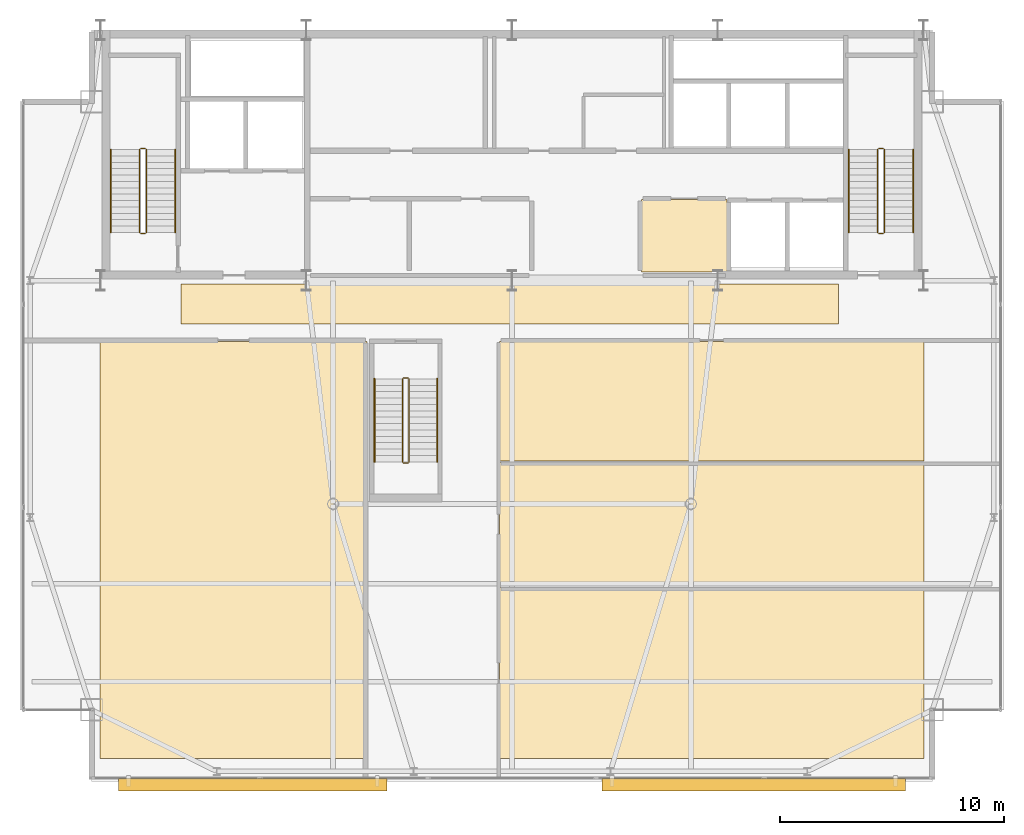
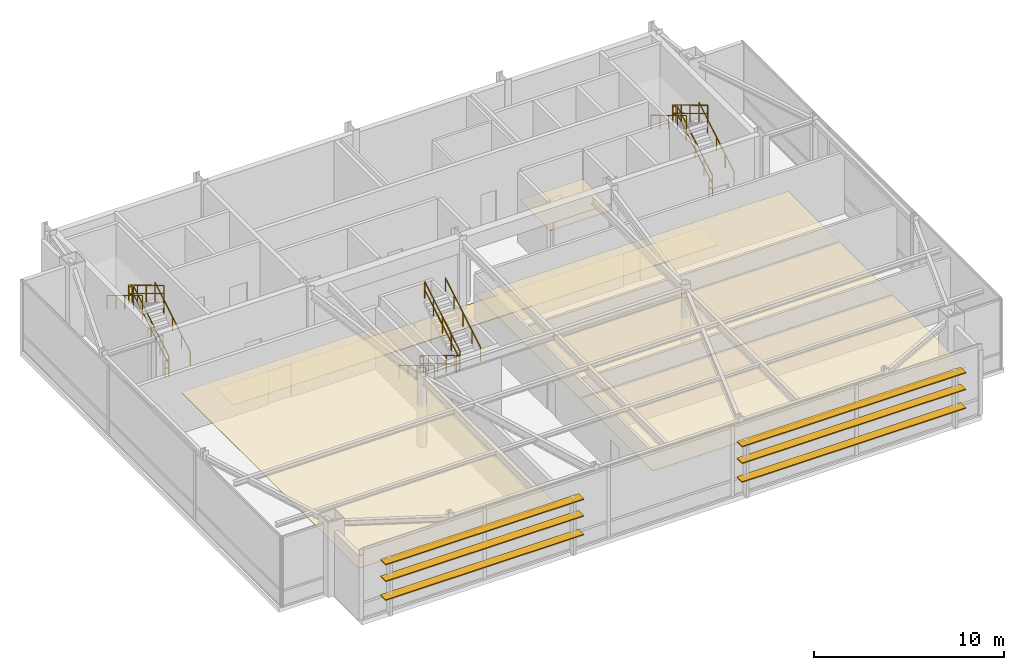
# One storey, part 21 of 21: 18 railings, 6 coverings, 6 shading devices.
"""IFC4 building model written with IfcOpenShell, lengths in metres."""

from ifc_helpers import new_model, si_unit, direction, frame, origin, origin_2d, place, context, subcontext, project, spatial, polyline, rectangle, outline, extrude, source, transform, mapped, material, layer, layer_set, type_object, type_shapes, element, save


model = new_model("IFC4")

# Units and contexts
model_context = context("Model", 3, precision=1e-05, world=origin(), true_north=direction((0.0, 1.0)))
body_context = subcontext(model_context, "Body", "Model", "MODEL_VIEW")
ifc_project = project(units=[si_unit("LENGTHUNIT", "METRE"), si_unit("AREAUNIT", "SQUARE_METRE"), si_unit("VOLUMEUNIT", "CUBIC_METRE"), si_unit("PLANEANGLEUNIT", "RADIAN"), si_unit("MASSUNIT", "GRAM", prefix="KILO")], contexts=[model_context])

# Site, building, storey
site_placement = place(None, origin())
site = spatial("IfcSite", under=ifc_project, at=site_placement, CompositionType="ELEMENT")
building_placement = place(site_placement, origin())
building = spatial("IfcBuilding", under=site, at=building_placement, Name="Varnel Quay Broadcast Tower", CompositionType="ELEMENT")
storey_placement = place(building_placement, frame((0.0, 0.0, 300.199951171875)))
storey = spatial("IfcBuildingStorey", under=building, at=storey_placement, Name="L75", CompositionType="ELEMENT", Elevation=300.199951171875)

# Coverings
ifc_material_1 = material(Name="Micro-Perforated Acoustic Ceiling Tile")
ifc_layer_1 = layer(ifc_material_1, 0.0400390625, Name="Micro-Perforated Acoustic Ceiling Tile")
ifc_layer_set_1 = layer_set([ifc_layer_1], Name="Micro-Perforated Acoustic Ceiling Tile")
covering_type_1 = type_object("IfcCoveringType", Name="Cov_AcousticCeiling", PredefinedType="CEILING", material=ifc_layer_set_1)
covering_1_placement = place(storey_placement, frame((0.0, 0.0, 2.580078125)))
element("IfcCovering", 1, at=covering_1_placement, inside=storey, type_object=covering_type_1, Name="L75 Electrical Sub-Distribution Closet Acoustic Ceiling", PredefinedType="CEILING", context=body_context, shape_type="SweptSolid", body=[
    extrude(outline(polyline([(39.784912109375, 35.985107421875), (43.614990234375, 35.985107421875), (43.614990234375, 39.215087890625), (39.784912109375, 39.215087890625), (39.784912109375, 35.985107421875)])), origin(), (0.0, 0.0, 1.0), 0.0400390625),
])
covering_2_placement = place(storey_placement, frame((0.0, 0.0, 2.580078125)))
element("IfcCovering", 2, at=covering_2_placement, inside=storey, type_object=covering_type_1, Name="L75 South Harbour Observation Gallery Acoustic Ceiling", PredefinedType="CEILING", context=body_context, shape_type="SweptSolid", body=[
    extrude(outline(polyline([(15.5849609375, 14.22509765625), (27.514892578125, 14.22509765625), (27.514892578125, 32.864990234375), (15.5849609375, 32.864990234375), (15.5849609375, 14.22509765625)])), origin(), (0.0, 0.0, 1.0), 0.0400390625),
])
covering_3_placement = place(storey_placement, frame((0.0, 0.0, 2.580078125)))
element("IfcCovering", 3, at=covering_3_placement, inside=storey, type_object=covering_type_1, Name="L75 Broadcast History Exhibition Hall Acoustic Ceiling", PredefinedType="CEILING", context=body_context, shape_type="SweptSolid", body=[
    extrude(outline(polyline([(33.43505859375, 14.22509765625), (52.4150390625, 14.22509765625), (52.4150390625, 21.864990234375), (33.43505859375, 21.864990234375), (33.43505859375, 14.22509765625)])), origin(), (0.0, 0.0, 1.0), 0.0400390625),
])
covering_4_placement = place(storey_placement, frame((0.0, 0.0, 2.580078125)))
element("IfcCovering", 4, at=covering_4_placement, inside=storey, type_object=covering_type_1, Name="L75 Sky Viewing Cafe & Servery Acoustic Ceiling", PredefinedType="CEILING", context=body_context, shape_type="SweptSolid", body=[
    extrude(outline(polyline([(33.43505859375, 21.93505859375), (52.4150390625, 21.93505859375), (52.4150390625, 27.465087890625), (33.43505859375, 27.465087890625), (33.43505859375, 21.93505859375)])), origin(), (0.0, 0.0, 1.0), 0.0400390625),
])
covering_5_placement = place(storey_placement, frame((0.0, 0.0, 2.580078125)))
element("IfcCovering", 5, at=covering_5_placement, inside=storey, type_object=covering_type_1, Name="L75 Visitor Orientation Theatre Acoustic Ceiling", PredefinedType="CEILING", context=body_context, shape_type="SweptSolid", body=[
    extrude(outline(polyline([(33.43505859375, 27.534912109375), (52.4150390625, 27.534912109375), (52.4150390625, 32.864990234375), (33.43505859375, 32.864990234375), (33.43505859375, 27.534912109375)])), origin(), (0.0, 0.0, 1.0), 0.0400390625),
])
ifc_material_2 = material(Name="Polished Terrazzo & Broadcast Raised Flooring")
ifc_layer_2 = layer(ifc_material_2, 0.0400390625, Name="Polished Terrazzo & Broadcast Raised Flooring")
ifc_layer_set_2 = layer_set([ifc_layer_2], Name="Polished Terrazzo & Broadcast Raised Flooring")
covering_type_2 = type_object("IfcCoveringType", Name="Cov_TerrazzoFloor", PredefinedType="FLOORING", material=ifc_layer_set_2)
covering_6_placement = place(storey_placement, origin())
element("IfcCovering", 6, at=covering_6_placement, inside=storey, type_object=covering_type_2, Name="L75 Corridor Terrazzo Flooring", PredefinedType="FLOORING", context=body_context, shape_type="SweptSolid", body=[
    extrude(outline(polyline([(19.199951171875, 33.64990234375), (48.60009765625, 33.64990234375), (48.60009765625, 35.449951171875), (19.199951171875, 35.449951171875), (19.199951171875, 33.64990234375)])), origin(), (0.0, 0.0, 1.0), 0.0400390625),
])

# Railings
ifc_material_3 = material(Name="Painted Steel Guard and Handrail CSA G40.21 350W", Category="steel")
railing_type_1 = type_object("IfcRailingType", Name="Rail_StairGuard1100", PredefinedType="GUARDRAIL", material=ifc_material_3)
railing_1_placement = place(storey_placement, frame((17.64990234375, 37.75, 0.17138671875)))
element("IfcRailing", 7, at=railing_1_placement, inside=storey, type_object=railing_type_1, Name="L75 ST-01 stair guard 1", PredefinedType="GUARDRAIL", context=body_context, shape_type="SweptSolid", body=[
    extrude(rectangle(XDim=0.048095703125, YDim=0.048095703125, at=origin_2d()), frame((0.0, 0.0, 1.076171875), z_axis=(0.0, 0.856909459561, 0.515466951525), x_axis=(-1.0, 0.0, 0.0)), (0.0, 0.0, 1.0), 4.32373046875),
    extrude(rectangle(XDim=0.048095703125, YDim=0.048095703125, at=origin_2d()), frame((0.0, 0.0, 0.550048828125), z_axis=(0.0, 0.856909459561, 0.515466951525), x_axis=(-1.0, 0.0, 0.0)), (0.0, 0.0, 1.0), 4.32373046875),
    extrude(rectangle(XDim=0.0419921875, YDim=0.0419921875, at=origin_2d()), origin(), (0.0, 0.0, 1.0), 1.052001953125),
    extrude(rectangle(XDim=0.0419921875, YDim=0.0419921875, at=origin_2d()), frame((0.0, 0.92626953125, 0.55712890625)), (0.0, 0.0, 1.0), 1.052001953125),
    extrude(rectangle(XDim=0.0419921875, YDim=0.0419921875, at=origin_2d()), frame((0.0, 1.8525390625, 1.1142578125)), (0.0, 0.0, 1.0), 1.052001953125),
    extrude(rectangle(XDim=0.0419921875, YDim=0.0419921875, at=origin_2d()), frame((0.0, 2.77880859375, 1.671630859375)), (0.0, 0.0, 1.0), 1.052001953125),
    extrude(rectangle(XDim=0.0419921875, YDim=0.0419921875, at=origin_2d()), frame((0.0, 3.705078125, 2.228759765625)), (0.0, 0.0, 1.0), 1.052001953125),
])
railing_2_placement = place(storey_placement, frame((17.60009765625, 41.5048828125, 2.400146484375)))
element("IfcRailing", 8, at=railing_2_placement, inside=storey, type_object=railing_type_1, Name="L75 ST-01 stair guard 2", PredefinedType="GUARDRAIL", context=body_context, shape_type="SweptSolid", body=[
    extrude(rectangle(XDim=0.048095703125, YDim=0.048095703125, at=origin_2d()), frame((0.0, 0.0, 1.076171875), z_axis=(-1.0, 0.0, 0.0), x_axis=(0.0, -1.0, 0.0)), (0.0, 0.0, 1.0), 0.2001953125),
    extrude(rectangle(XDim=0.048095703125, YDim=0.048095703125, at=origin_2d()), frame((0.0, 0.0, 0.550048828125), z_axis=(-1.0, 0.0, 0.0), x_axis=(0.0, -1.0, 0.0)), (0.0, 0.0, 1.0), 0.2001953125),
    extrude(rectangle(XDim=0.0419921875, YDim=0.0419921875, at=origin_2d()), origin(), (0.0, 0.0, 1.0), 1.052001953125),
    extrude(rectangle(XDim=0.0419921875, YDim=0.0419921875, at=origin_2d()), frame((-0.2001953125, 0.0, 0.0)), (0.0, 0.0, 1.0), 1.052001953125),
])
railing_3_placement = place(storey_placement, frame((17.35009765625, 41.455078125, 2.571533203125)))
element("IfcRailing", 9, at=railing_3_placement, inside=storey, type_object=railing_type_1, Name="L75 ST-01 stair guard 3", PredefinedType="GUARDRAIL", context=body_context, shape_type="SweptSolid", body=[
    extrude(rectangle(XDim=0.048095703125, YDim=0.048095703125, at=origin_2d()), frame((0.0, 0.0, 1.076171875), z_axis=(0.0, -0.856934400257, 0.515425487977), x_axis=(1.0, 0.0, 0.0)), (0.0, 0.0, 1.0), 4.32373046875),
    extrude(rectangle(XDim=0.048095703125, YDim=0.048095703125, at=origin_2d()), frame((0.0, 0.0, 0.550048828125), z_axis=(0.0, -0.856934400257, 0.515425487977), x_axis=(1.0, 0.0, 0.0)), (0.0, 0.0, 1.0), 4.32373046875),
    extrude(rectangle(XDim=0.0419921875, YDim=0.0419921875, at=origin_2d()), origin(), (0.0, 0.0, 1.0), 1.052001953125),
    extrude(rectangle(XDim=0.0419921875, YDim=0.0419921875, at=origin_2d()), frame((0.0, -0.92626953125, 0.55712890625)), (0.0, 0.0, 1.0), 1.052001953125),
    extrude(rectangle(XDim=0.0419921875, YDim=0.0419921875, at=origin_2d()), frame((0.0, -1.8525390625, 1.1142578125)), (0.0, 0.0, 1.0), 1.052001953125),
    extrude(rectangle(XDim=0.0419921875, YDim=0.0419921875, at=origin_2d()), frame((0.0, -2.77880859375, 1.67138671875)), (0.0, 0.0, 1.0), 1.052001953125),
    extrude(rectangle(XDim=0.0419921875, YDim=0.0419921875, at=origin_2d()), frame((0.0, -3.705078125, 2.228515625)), (0.0, 0.0, 1.0), 1.052001953125),
])
railing_4_placement = place(storey_placement, frame((17.60009765625, 37.699951171875, 0.0)))
element("IfcRailing", 10, at=railing_4_placement, inside=storey, type_object=railing_type_1, Name="L75 ST-01 stair guard 4", PredefinedType="GUARDRAIL", context=body_context, shape_type="SweptSolid", body=[
    extrude(rectangle(XDim=0.048095703125, YDim=0.048095703125, at=origin_2d()), frame((0.0, 0.0, 1.076171875), z_axis=(-1.0, 0.0, 0.0), x_axis=(0.0, -1.0, 0.0)), (0.0, 0.0, 1.0), 0.2001953125),
    extrude(rectangle(XDim=0.048095703125, YDim=0.048095703125, at=origin_2d()), frame((0.0, 0.0, 0.550048828125), z_axis=(-1.0, 0.0, 0.0), x_axis=(0.0, -1.0, 0.0)), (0.0, 0.0, 1.0), 0.2001953125),
    extrude(rectangle(XDim=0.0419921875, YDim=0.0419921875, at=origin_2d()), origin(), (0.0, 0.0, 1.0), 1.052001953125),
    extrude(rectangle(XDim=0.0419921875, YDim=0.0419921875, at=origin_2d()), frame((-0.2001953125, 0.0, 0.0)), (0.0, 0.0, 1.0), 1.052001953125),
])
railing_5_placement = place(storey_placement, frame((50.64990234375, 37.75, 0.17138671875)))
element("IfcRailing", 11, at=railing_5_placement, inside=storey, type_object=railing_type_1, Name="L75 ST-02 stair guard 1", PredefinedType="GUARDRAIL", context=body_context, shape_type="SweptSolid", body=[
    extrude(rectangle(XDim=0.048095703125, YDim=0.048095703125, at=origin_2d()), frame((0.0, 0.0, 1.076171875), z_axis=(0.0, 0.856909459561, 0.515466951525), x_axis=(-1.0, 0.0, 0.0)), (0.0, 0.0, 1.0), 4.32373046875),
    extrude(rectangle(XDim=0.048095703125, YDim=0.048095703125, at=origin_2d()), frame((0.0, 0.0, 0.550048828125), z_axis=(0.0, 0.856909459561, 0.515466951525), x_axis=(-1.0, 0.0, 0.0)), (0.0, 0.0, 1.0), 4.32373046875),
    extrude(rectangle(XDim=0.0419921875, YDim=0.0419921875, at=origin_2d()), origin(), (0.0, 0.0, 1.0), 1.052001953125),
    extrude(rectangle(XDim=0.0419921875, YDim=0.0419921875, at=origin_2d()), frame((0.0, 0.92626953125, 0.55712890625)), (0.0, 0.0, 1.0), 1.052001953125),
    extrude(rectangle(XDim=0.0419921875, YDim=0.0419921875, at=origin_2d()), frame((0.0, 1.8525390625, 1.1142578125)), (0.0, 0.0, 1.0), 1.052001953125),
    extrude(rectangle(XDim=0.0419921875, YDim=0.0419921875, at=origin_2d()), frame((0.0, 2.77880859375, 1.671630859375)), (0.0, 0.0, 1.0), 1.052001953125),
    extrude(rectangle(XDim=0.0419921875, YDim=0.0419921875, at=origin_2d()), frame((0.0, 3.705078125, 2.228759765625)), (0.0, 0.0, 1.0), 1.052001953125),
])
railing_6_placement = place(storey_placement, frame((50.60009765625, 41.5048828125, 2.400146484375)))
element("IfcRailing", 12, at=railing_6_placement, inside=storey, type_object=railing_type_1, Name="L75 ST-02 stair guard 2", PredefinedType="GUARDRAIL", context=body_context, shape_type="SweptSolid", body=[
    extrude(rectangle(XDim=0.048095703125, YDim=0.048095703125, at=origin_2d()), frame((0.0, 0.0, 1.076171875), z_axis=(-1.0, 0.0, 0.0), x_axis=(0.0, -1.0, 0.0)), (0.0, 0.0, 1.0), 0.2001953125),
    extrude(rectangle(XDim=0.048095703125, YDim=0.048095703125, at=origin_2d()), frame((0.0, 0.0, 0.550048828125), z_axis=(-1.0, 0.0, 0.0), x_axis=(0.0, -1.0, 0.0)), (0.0, 0.0, 1.0), 0.2001953125),
    extrude(rectangle(XDim=0.0419921875, YDim=0.0419921875, at=origin_2d()), origin(), (0.0, 0.0, 1.0), 1.052001953125),
    extrude(rectangle(XDim=0.0419921875, YDim=0.0419921875, at=origin_2d()), frame((-0.2001953125, 0.0, 0.0)), (0.0, 0.0, 1.0), 1.052001953125),
])
railing_7_placement = place(storey_placement, frame((50.35009765625, 41.455078125, 2.571533203125)))
element("IfcRailing", 13, at=railing_7_placement, inside=storey, type_object=railing_type_1, Name="L75 ST-02 stair guard 3", PredefinedType="GUARDRAIL", context=body_context, shape_type="SweptSolid", body=[
    extrude(rectangle(XDim=0.048095703125, YDim=0.048095703125, at=origin_2d()), frame((0.0, 0.0, 1.076171875), z_axis=(0.0, -0.856934400257, 0.515425487977), x_axis=(1.0, 0.0, 0.0)), (0.0, 0.0, 1.0), 4.32373046875),
    extrude(rectangle(XDim=0.048095703125, YDim=0.048095703125, at=origin_2d()), frame((0.0, 0.0, 0.550048828125), z_axis=(0.0, -0.856934400257, 0.515425487977), x_axis=(1.0, 0.0, 0.0)), (0.0, 0.0, 1.0), 4.32373046875),
    extrude(rectangle(XDim=0.0419921875, YDim=0.0419921875, at=origin_2d()), origin(), (0.0, 0.0, 1.0), 1.052001953125),
    extrude(rectangle(XDim=0.0419921875, YDim=0.0419921875, at=origin_2d()), frame((0.0, -0.92626953125, 0.55712890625)), (0.0, 0.0, 1.0), 1.052001953125),
    extrude(rectangle(XDim=0.0419921875, YDim=0.0419921875, at=origin_2d()), frame((0.0, -1.8525390625, 1.1142578125)), (0.0, 0.0, 1.0), 1.052001953125),
    extrude(rectangle(XDim=0.0419921875, YDim=0.0419921875, at=origin_2d()), frame((0.0, -2.77880859375, 1.67138671875)), (0.0, 0.0, 1.0), 1.052001953125),
    extrude(rectangle(XDim=0.0419921875, YDim=0.0419921875, at=origin_2d()), frame((0.0, -3.705078125, 2.228515625)), (0.0, 0.0, 1.0), 1.052001953125),
])
railing_8_placement = place(storey_placement, frame((50.60009765625, 37.699951171875, 0.0)))
element("IfcRailing", 14, at=railing_8_placement, inside=storey, type_object=railing_type_1, Name="L75 ST-02 stair guard 4", PredefinedType="GUARDRAIL", context=body_context, shape_type="SweptSolid", body=[
    extrude(rectangle(XDim=0.048095703125, YDim=0.048095703125, at=origin_2d()), frame((0.0, 0.0, 1.076171875), z_axis=(-1.0, 0.0, 0.0), x_axis=(0.0, -1.0, 0.0)), (0.0, 0.0, 1.0), 0.2001953125),
    extrude(rectangle(XDim=0.048095703125, YDim=0.048095703125, at=origin_2d()), frame((0.0, 0.0, 0.550048828125), z_axis=(-1.0, 0.0, 0.0), x_axis=(0.0, -1.0, 0.0)), (0.0, 0.0, 1.0), 0.2001953125),
    extrude(rectangle(XDim=0.0419921875, YDim=0.0419921875, at=origin_2d()), origin(), (0.0, 0.0, 1.0), 1.052001953125),
    extrude(rectangle(XDim=0.0419921875, YDim=0.0419921875, at=origin_2d()), frame((-0.2001953125, 0.0, 0.0)), (0.0, 0.0, 1.0), 1.052001953125),
])
railing_9_placement = place(storey_placement, frame((29.10009765625, 31.199951171875, 0.17138671875)))
element("IfcRailing", 15, at=railing_9_placement, inside=storey, type_object=railing_type_1, Name="L75 ST-04 stair guard 1", PredefinedType="GUARDRAIL", context=body_context, shape_type="SweptSolid", body=[
    extrude(rectangle(XDim=0.048095703125, YDim=0.048095703125, at=origin_2d()), frame((0.0, 0.0, 1.076171875), z_axis=(0.0, -0.856894455432, 0.515491893485), x_axis=(1.0, 0.0, 0.0)), (0.0, 0.0, 1.0), 4.323486328125),
    extrude(rectangle(XDim=0.048095703125, YDim=0.048095703125, at=origin_2d()), frame((0.0, 0.0, 0.550048828125), z_axis=(0.0, -0.856894455432, 0.515491893485), x_axis=(1.0, 0.0, 0.0)), (0.0, 0.0, 1.0), 4.323486328125),
    extrude(rectangle(XDim=0.0419921875, YDim=0.0419921875, at=origin_2d()), origin(), (0.0, 0.0, 1.0), 1.052001953125),
    extrude(rectangle(XDim=0.0419921875, YDim=0.0419921875, at=origin_2d()), frame((0.0, -0.92626953125, 0.55712890625)), (0.0, 0.0, 1.0), 1.052001953125),
    extrude(rectangle(XDim=0.0419921875, YDim=0.0419921875, at=origin_2d()), frame((0.0, -1.8525390625, 1.1142578125)), (0.0, 0.0, 1.0), 1.052001953125),
    extrude(rectangle(XDim=0.0419921875, YDim=0.0419921875, at=origin_2d()), frame((0.0, -2.778564453125, 1.671630859375)), (0.0, 0.0, 1.0), 1.052001953125),
    extrude(rectangle(XDim=0.0419921875, YDim=0.0419921875, at=origin_2d()), frame((0.0, -3.704833984375, 2.228759765625)), (0.0, 0.0, 1.0), 1.052001953125),
])
railing_10_placement = place(storey_placement, frame((29.14990234375, 27.445068359375, 2.400146484375)))
element("IfcRailing", 16, at=railing_10_placement, inside=storey, type_object=railing_type_1, Name="L75 ST-04 stair guard 2", PredefinedType="GUARDRAIL", context=body_context, shape_type="SweptSolid", body=[
    extrude(rectangle(XDim=0.048095703125, YDim=0.048095703125, at=origin_2d()), frame((0.0, 0.0, 1.076171875), z_axis=(1.0, 0.0, 0.0), x_axis=(0.0, 1.0, 0.0)), (0.0, 0.0, 1.0), 0.2001953125),
    extrude(rectangle(XDim=0.048095703125, YDim=0.048095703125, at=origin_2d()), frame((0.0, 0.0, 0.550048828125), z_axis=(1.0, 0.0, 0.0), x_axis=(0.0, 1.0, 0.0)), (0.0, 0.0, 1.0), 0.2001953125),
    extrude(rectangle(XDim=0.0419921875, YDim=0.0419921875, at=origin_2d()), origin(), (0.0, 0.0, 1.0), 1.052001953125),
    extrude(rectangle(XDim=0.0419921875, YDim=0.0419921875, at=origin_2d()), frame((0.2001953125, 0.0, 0.0)), (0.0, 0.0, 1.0), 1.052001953125),
])
railing_11_placement = place(storey_placement, frame((29.39990234375, 27.4951171875, 2.571533203125)))
element("IfcRailing", 17, at=railing_11_placement, inside=storey, type_object=railing_type_1, Name="L75 ST-04 stair guard 3", PredefinedType="GUARDRAIL", context=body_context, shape_type="SweptSolid", body=[
    extrude(rectangle(XDim=0.048095703125, YDim=0.048095703125, at=origin_2d()), frame((0.0, 0.0, 1.076171875), z_axis=(0.0, 0.856919398105, 0.515450429384), x_axis=(-1.0, 0.0, 0.0)), (0.0, 0.0, 1.0), 4.323486328125),
    extrude(rectangle(XDim=0.048095703125, YDim=0.048095703125, at=origin_2d()), frame((0.0, 0.0, 0.550048828125), z_axis=(0.0, 0.856919398105, 0.515450429384), x_axis=(-1.0, 0.0, 0.0)), (0.0, 0.0, 1.0), 4.323486328125),
    extrude(rectangle(XDim=0.0419921875, YDim=0.0419921875, at=origin_2d()), origin(), (0.0, 0.0, 1.0), 1.052001953125),
    extrude(rectangle(XDim=0.0419921875, YDim=0.0419921875, at=origin_2d()), frame((0.0, 0.92626953125, 0.55712890625)), (0.0, 0.0, 1.0), 1.052001953125),
    extrude(rectangle(XDim=0.0419921875, YDim=0.0419921875, at=origin_2d()), frame((0.0, 1.8525390625, 1.1142578125)), (0.0, 0.0, 1.0), 1.052001953125),
    extrude(rectangle(XDim=0.0419921875, YDim=0.0419921875, at=origin_2d()), frame((0.0, 2.778564453125, 1.67138671875)), (0.0, 0.0, 1.0), 1.052001953125),
    extrude(rectangle(XDim=0.0419921875, YDim=0.0419921875, at=origin_2d()), frame((0.0, 3.704833984375, 2.228515625)), (0.0, 0.0, 1.0), 1.052001953125),
])
railing_12_placement = place(storey_placement, frame((29.14990234375, 31.25, 0.0)))
element("IfcRailing", 18, at=railing_12_placement, inside=storey, type_object=railing_type_1, Name="L75 ST-04 stair guard 4", PredefinedType="GUARDRAIL", context=body_context, shape_type="SweptSolid", body=[
    extrude(rectangle(XDim=0.048095703125, YDim=0.048095703125, at=origin_2d()), frame((0.0, 0.0, 1.076171875), z_axis=(1.0, 0.0, 0.0), x_axis=(0.0, 1.0, 0.0)), (0.0, 0.0, 1.0), 0.2001953125),
    extrude(rectangle(XDim=0.048095703125, YDim=0.048095703125, at=origin_2d()), frame((0.0, 0.0, 0.550048828125), z_axis=(1.0, 0.0, 0.0), x_axis=(0.0, 1.0, 0.0)), (0.0, 0.0, 1.0), 0.2001953125),
    extrude(rectangle(XDim=0.0419921875, YDim=0.0419921875, at=origin_2d()), origin(), (0.0, 0.0, 1.0), 1.052001953125),
    extrude(rectangle(XDim=0.0419921875, YDim=0.0419921875, at=origin_2d()), frame((0.2001953125, 0.0, 0.0)), (0.0, 0.0, 1.0), 1.052001953125),
])
railing_type_2 = type_object("IfcRailingType", Name="Rail_StairHandrail900", PredefinedType="HANDRAIL", material=ifc_material_3)
railing_13_placement = place(storey_placement, frame((18.949951171875, 37.75, 0.17138671875)))
element("IfcRailing", 19, at=railing_13_placement, inside=storey, type_object=railing_type_2, Name="L75 ST-01 stair handrail 1", PredefinedType="HANDRAIL", context=body_context, shape_type="SweptSolid", body=[
    extrude(rectangle(XDim=0.048095703125, YDim=0.048095703125, at=origin_2d()), frame((0.0, 0.0, 0.8759765625), z_axis=(0.0, 0.856909459561, 0.515466951525), x_axis=(-1.0, 0.0, 0.0)), (0.0, 0.0, 1.0), 4.32373046875),
    extrude(rectangle(XDim=0.0419921875, YDim=0.0419921875, at=origin_2d()), origin(), (0.0, 0.0, 1.0), 0.851806640625),
    extrude(rectangle(XDim=0.0419921875, YDim=0.0419921875, at=origin_2d()), frame((0.0, 0.92626953125, 0.55712890625)), (0.0, 0.0, 1.0), 0.851806640625),
    extrude(rectangle(XDim=0.0419921875, YDim=0.0419921875, at=origin_2d()), frame((0.0, 1.8525390625, 1.1142578125)), (0.0, 0.0, 1.0), 0.851806640625),
    extrude(rectangle(XDim=0.0419921875, YDim=0.0419921875, at=origin_2d()), frame((0.0, 2.77880859375, 1.671630859375)), (0.0, 0.0, 1.0), 0.851806640625),
    extrude(rectangle(XDim=0.0419921875, YDim=0.0419921875, at=origin_2d()), frame((0.0, 3.705078125, 2.228759765625)), (0.0, 0.0, 1.0), 0.851806640625),
])
railing_14_placement = place(storey_placement, frame((16.050048828125, 41.455078125, 2.571533203125)))
element("IfcRailing", 20, at=railing_14_placement, inside=storey, type_object=railing_type_2, Name="L75 ST-01 stair handrail 2", PredefinedType="HANDRAIL", context=body_context, shape_type="SweptSolid", body=[
    extrude(rectangle(XDim=0.048095703125, YDim=0.048095703125, at=origin_2d()), frame((0.0, 0.0, 0.8759765625), z_axis=(0.0, -0.856934400257, 0.515425487977), x_axis=(1.0, 0.0, 0.0)), (0.0, 0.0, 1.0), 4.32373046875),
    extrude(rectangle(XDim=0.0419921875, YDim=0.0419921875, at=origin_2d()), origin(), (0.0, 0.0, 1.0), 0.851806640625),
    extrude(rectangle(XDim=0.0419921875, YDim=0.0419921875, at=origin_2d()), frame((0.0, -0.92626953125, 0.55712890625)), (0.0, 0.0, 1.0), 0.851806640625),
    extrude(rectangle(XDim=0.0419921875, YDim=0.0419921875, at=origin_2d()), frame((0.0, -1.8525390625, 1.1142578125)), (0.0, 0.0, 1.0), 0.851806640625),
    extrude(rectangle(XDim=0.0419921875, YDim=0.0419921875, at=origin_2d()), frame((0.0, -2.77880859375, 1.67138671875)), (0.0, 0.0, 1.0), 0.851806640625),
    extrude(rectangle(XDim=0.0419921875, YDim=0.0419921875, at=origin_2d()), frame((0.0, -3.705078125, 2.228515625)), (0.0, 0.0, 1.0), 0.851806640625),
])
railing_15_placement = place(storey_placement, frame((51.949951171875, 37.75, 0.17138671875)))
element("IfcRailing", 21, at=railing_15_placement, inside=storey, type_object=railing_type_2, Name="L75 ST-02 stair handrail 1", PredefinedType="HANDRAIL", context=body_context, shape_type="SweptSolid", body=[
    extrude(rectangle(XDim=0.048095703125, YDim=0.048095703125, at=origin_2d()), frame((0.0, 0.0, 0.8759765625), z_axis=(0.0, 0.856909459561, 0.515466951525), x_axis=(-1.0, 0.0, 0.0)), (0.0, 0.0, 1.0), 4.32373046875),
    extrude(rectangle(XDim=0.0419921875, YDim=0.0419921875, at=origin_2d()), origin(), (0.0, 0.0, 1.0), 0.851806640625),
    extrude(rectangle(XDim=0.0419921875, YDim=0.0419921875, at=origin_2d()), frame((0.0, 0.92626953125, 0.55712890625)), (0.0, 0.0, 1.0), 0.851806640625),
    extrude(rectangle(XDim=0.0419921875, YDim=0.0419921875, at=origin_2d()), frame((0.0, 1.8525390625, 1.1142578125)), (0.0, 0.0, 1.0), 0.851806640625),
    extrude(rectangle(XDim=0.0419921875, YDim=0.0419921875, at=origin_2d()), frame((0.0, 2.77880859375, 1.671630859375)), (0.0, 0.0, 1.0), 0.851806640625),
    extrude(rectangle(XDim=0.0419921875, YDim=0.0419921875, at=origin_2d()), frame((0.0, 3.705078125, 2.228759765625)), (0.0, 0.0, 1.0), 0.851806640625),
])
railing_16_placement = place(storey_placement, frame((49.050048828125, 41.455078125, 2.571533203125)))
element("IfcRailing", 22, at=railing_16_placement, inside=storey, type_object=railing_type_2, Name="L75 ST-02 stair handrail 2", PredefinedType="HANDRAIL", context=body_context, shape_type="SweptSolid", body=[
    extrude(rectangle(XDim=0.048095703125, YDim=0.048095703125, at=origin_2d()), frame((0.0, 0.0, 0.8759765625), z_axis=(0.0, -0.856934400257, 0.515425487977), x_axis=(1.0, 0.0, 0.0)), (0.0, 0.0, 1.0), 4.32373046875),
    extrude(rectangle(XDim=0.0419921875, YDim=0.0419921875, at=origin_2d()), origin(), (0.0, 0.0, 1.0), 0.851806640625),
    extrude(rectangle(XDim=0.0419921875, YDim=0.0419921875, at=origin_2d()), frame((0.0, -0.92626953125, 0.55712890625)), (0.0, 0.0, 1.0), 0.851806640625),
    extrude(rectangle(XDim=0.0419921875, YDim=0.0419921875, at=origin_2d()), frame((0.0, -1.8525390625, 1.1142578125)), (0.0, 0.0, 1.0), 0.851806640625),
    extrude(rectangle(XDim=0.0419921875, YDim=0.0419921875, at=origin_2d()), frame((0.0, -2.77880859375, 1.67138671875)), (0.0, 0.0, 1.0), 0.851806640625),
    extrude(rectangle(XDim=0.0419921875, YDim=0.0419921875, at=origin_2d()), frame((0.0, -3.705078125, 2.228515625)), (0.0, 0.0, 1.0), 0.851806640625),
])
railing_17_placement = place(storey_placement, frame((27.85009765625, 31.199951171875, 0.17138671875)))
element("IfcRailing", 23, at=railing_17_placement, inside=storey, type_object=railing_type_2, Name="L75 ST-04 stair handrail 1", PredefinedType="HANDRAIL", context=body_context, shape_type="SweptSolid", body=[
    extrude(rectangle(XDim=0.048095703125, YDim=0.048095703125, at=origin_2d()), frame((0.0, 0.0, 0.8759765625), z_axis=(0.0, -0.856894455432, 0.515491893485), x_axis=(1.0, 0.0, 0.0)), (0.0, 0.0, 1.0), 4.323486328125),
    extrude(rectangle(XDim=0.0419921875, YDim=0.0419921875, at=origin_2d()), origin(), (0.0, 0.0, 1.0), 0.851806640625),
    extrude(rectangle(XDim=0.0419921875, YDim=0.0419921875, at=origin_2d()), frame((0.0, -0.92626953125, 0.55712890625)), (0.0, 0.0, 1.0), 0.851806640625),
    extrude(rectangle(XDim=0.0419921875, YDim=0.0419921875, at=origin_2d()), frame((0.0, -1.8525390625, 1.1142578125)), (0.0, 0.0, 1.0), 0.851806640625),
    extrude(rectangle(XDim=0.0419921875, YDim=0.0419921875, at=origin_2d()), frame((0.0, -2.778564453125, 1.671630859375)), (0.0, 0.0, 1.0), 0.851806640625),
    extrude(rectangle(XDim=0.0419921875, YDim=0.0419921875, at=origin_2d()), frame((0.0, -3.704833984375, 2.228759765625)), (0.0, 0.0, 1.0), 0.851806640625),
])
railing_18_placement = place(storey_placement, frame((30.64990234375, 27.4951171875, 2.571533203125)))
element("IfcRailing", 24, at=railing_18_placement, inside=storey, type_object=railing_type_2, Name="L75 ST-04 stair handrail 2", PredefinedType="HANDRAIL", context=body_context, shape_type="SweptSolid", body=[
    extrude(rectangle(XDim=0.048095703125, YDim=0.048095703125, at=origin_2d()), frame((0.0, 0.0, 0.8759765625), z_axis=(0.0, 0.856919398105, 0.515450429384), x_axis=(-1.0, 0.0, 0.0)), (0.0, 0.0, 1.0), 4.323486328125),
    extrude(rectangle(XDim=0.0419921875, YDim=0.0419921875, at=origin_2d()), origin(), (0.0, 0.0, 1.0), 0.851806640625),
    extrude(rectangle(XDim=0.0419921875, YDim=0.0419921875, at=origin_2d()), frame((0.0, 0.92626953125, 0.55712890625)), (0.0, 0.0, 1.0), 0.851806640625),
    extrude(rectangle(XDim=0.0419921875, YDim=0.0419921875, at=origin_2d()), frame((0.0, 1.8525390625, 1.1142578125)), (0.0, 0.0, 1.0), 0.851806640625),
    extrude(rectangle(XDim=0.0419921875, YDim=0.0419921875, at=origin_2d()), frame((0.0, 2.778564453125, 1.67138671875)), (0.0, 0.0, 1.0), 0.851806640625),
    extrude(rectangle(XDim=0.0419921875, YDim=0.0419921875, at=origin_2d()), frame((0.0, 3.704833984375, 2.228515625)), (0.0, 0.0, 1.0), 0.851806640625),
])

# Shading devices
ifc_material_4 = material(Name="Bronze-Terracotta Extruded Ceramic Blade", Category="masonry")
ifc_layer_3 = layer(ifc_material_4, 0.06494140625, Name="Bronze-Terracotta Extruded Ceramic Blade")
ifc_layer_set_3 = layer_set([ifc_layer_3], Name="Bronze-Terracotta Extruded Ceramic Blade")
shading_device_type = type_object("IfcShadingDeviceType", Name="Shade_LouvreBlade550", PredefinedType="JALOUSIE", material=ifc_layer_set_3)
shared_shape_1 = source(origin(), body_context, "Body", "SweptSolid", [
    extrude(rectangle(XDim=13.5791015625, YDim=0.550048828125, at=origin_2d()), origin(), (0.0, 0.0, 1.0), 0.06494140625),
])
for number, where, z_axis, x_axis, name in (
    (25, (44.81103515625, 13.06005859375, 1.11767578125), (0.0, 0.0, 1.0), (1.0, 0.0, 0.0), "L75 Lobe 2 Horizontal Louvre Blade 1"),
    (26, (44.81103515625, 13.06005859375, 2.317626953125), (0.0, 0.0, 1.0), (1.0, 0.0, 0.0), "L75 Lobe 2 Horizontal Louvre Blade 2"),
    (27, (44.81103515625, 13.06005859375, 3.3876953125), (0.0, 0.0, 1.0), (1.0, 0.0, 0.0), "L75 Lobe 2 Horizontal Louvre Blade 3"),
):
    element("IfcShadingDevice", number, at=place(storey_placement, frame(where, z_axis=z_axis, x_axis=x_axis)), inside=storey, type_object=shading_device_type, Name=name, PredefinedType="JALOUSIE", context=body_context, shape_type="MappedRepresentation", body=[
        mapped(shared_shape_1, transform((0.0, 0.0, 0.0), x_axis=(1.0, 0.0, 0.0), y_axis=(0.0, 1.0, 0.0), z_axis=(0.0, 0.0, 1.0), scale=1.0)),
    ])
shared_shape_2 = source(origin(), body_context, "Body", "SweptSolid", [
    extrude(rectangle(XDim=12.02099609375, YDim=0.550048828125, at=origin_2d()), origin(), (0.0, 0.0, 1.0), 0.06494140625),
])
type_shapes(shading_device_type, [shared_shape_1, shared_shape_2])
for number, where, z_axis, x_axis, name in (
    (28, (22.409912109375, 13.06005859375, 1.11767578125), (0.0, 0.0, 1.0), (1.0, 0.0, 0.0), "L75 Lobe 1 Horizontal Louvre Blade 1"),
    (29, (22.409912109375, 13.06005859375, 2.317626953125), (0.0, 0.0, 1.0), (1.0, 0.0, 0.0), "L75 Lobe 1 Horizontal Louvre Blade 2"),
    (30, (22.409912109375, 13.06005859375, 3.3876953125), (0.0, 0.0, 1.0), (1.0, 0.0, 0.0), "L75 Lobe 1 Horizontal Louvre Blade 3"),
):
    element("IfcShadingDevice", number, at=place(storey_placement, frame(where, z_axis=z_axis, x_axis=x_axis)), inside=storey, type_object=shading_device_type, Name=name, PredefinedType="JALOUSIE", context=body_context, shape_type="MappedRepresentation", body=[
        mapped(shared_shape_2, transform((0.0, 0.0, 0.0), x_axis=(1.0, 0.0, 0.0), y_axis=(0.0, 1.0, 0.0), z_axis=(0.0, 0.0, 1.0), scale=1.0)),
    ])

save(model, "model.ifc")
